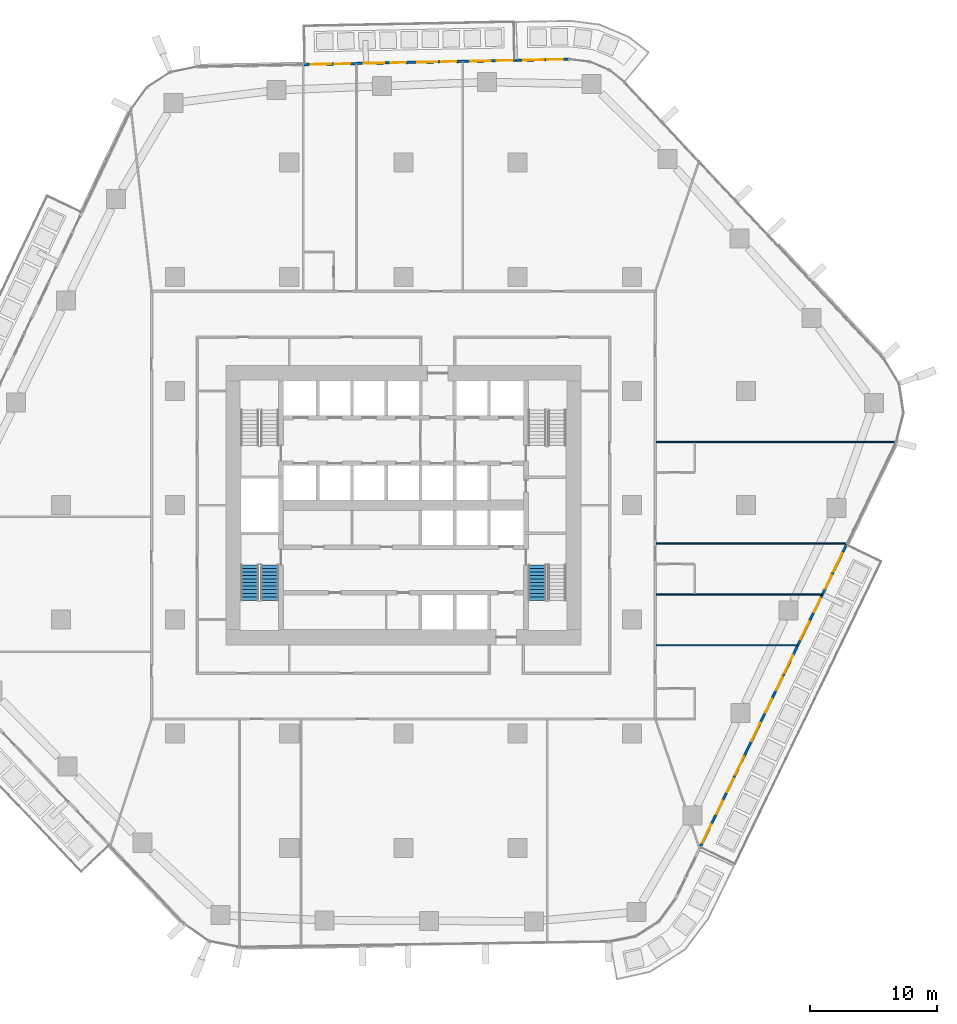
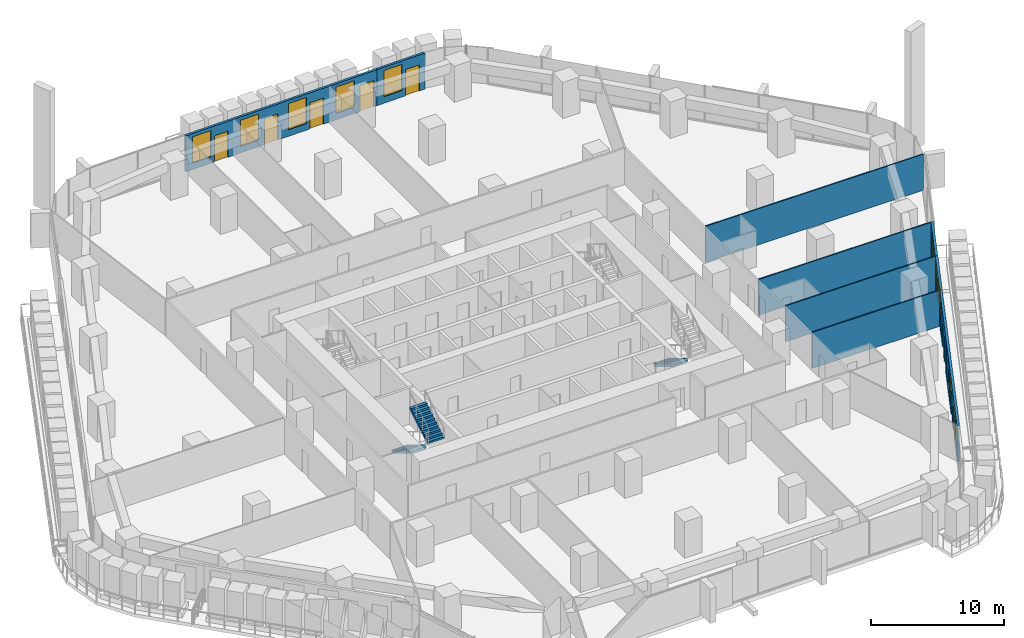
# One storey, part 16 of 24: 11 doors, 11 windows, 7 walls, 3 stair flights, 22 openings, 2 elements without a shape of their own.
"""IFC4 building model written with IfcOpenShell, lengths in metres."""

from ifc_helpers import new_model, si_unit, direction, frame, frame_2d, origin, place, context, subcontext, project, spatial, polyline, rectangle, outline, extrude, material, layer, layer_set, type_object, element, fill, aggregate, save


model = new_model("IFC4")

# Units and contexts
model_context = context("Model", 3, precision=1e-05, world=origin(), true_north=direction((0.0, 1.0)))
body_context = subcontext(model_context, "Body", "Model", "MODEL_VIEW")
ifc_project = project(units=[si_unit("LENGTHUNIT", "METRE"), si_unit("AREAUNIT", "SQUARE_METRE"), si_unit("VOLUMEUNIT", "CUBIC_METRE"), si_unit("PLANEANGLEUNIT", "RADIAN"), si_unit("MASSUNIT", "GRAM", prefix="KILO")], contexts=[model_context])

# Site, building, storey
site_placement = place(None, origin())
site = spatial("IfcSite", under=ifc_project, at=site_placement, CompositionType="ELEMENT")
building_placement = place(site_placement, origin())
building = spatial("IfcBuilding", under=site, at=building_placement, Name="Dongbaek Canopy Tower", CompositionType="ELEMENT")
storey_placement = place(building_placement, frame((0.0, 0.0, 44.0)))
storey = spatial("IfcBuildingStorey", under=building, at=storey_placement, Name="L06", CompositionType="ELEMENT", Elevation=44.0)

# Walls
ifc_material_1 = material(Name="Gypsum board partition, steel stud, 2 x 12.5 mm board", Category="steel")
ifc_layer_1 = layer(ifc_material_1, 0.10009765625)
ifc_layer_set_1 = layer_set([ifc_layer_1], Name="Partition 100 gypsum board")
wall_type_1 = type_object("IfcWallType", Name="Partition 100 gypsum board", PredefinedType="PARTITIONING", material=ifc_layer_set_1)
wall_1_placement = place(storey_placement, frame((19.925048828125, -11.031982421875, 0.0), z_axis=(0.0, 0.0, 1.0), x_axis=(1.0, 0.0, 0.0)))
element("IfcWall", 1, at=wall_1_placement, inside=storey, type_object=wall_type_1, Name="Partition", PredefinedType="PARTITIONING", context=body_context, shape_type="SweptSolid", body=[
    extrude(rectangle(XDim=11.134521484375, YDim=0.10009765625, at=frame_2d((5.5673828125, 0.0))), origin(), (0.0, 0.0, 1.0), 3.300048828125),
])
wall_2_placement = place(storey_placement, frame((19.925048828125, -7.028076171875, 0.0), z_axis=(0.0, 0.0, 1.0), x_axis=(1.0, 0.0, 0.0)))
element("IfcWall", 2, at=wall_2_placement, inside=storey, type_object=wall_type_1, Name="Partition", PredefinedType="PARTITIONING", context=body_context, shape_type="SweptSolid", body=[
    extrude(rectangle(XDim=13.070556640625, YDim=0.10009765625, at=frame_2d((6.53515625, 0.0))), origin(), (0.0, 0.0, 1.0), 3.300048828125),
])
wall_3_placement = place(storey_placement, frame((19.925048828125, -3.02294921875, 0.0), z_axis=(0.0, 0.0, 1.0), x_axis=(1.0, 0.0, 0.0)))
element("IfcWall", 3, at=wall_3_placement, inside=storey, type_object=wall_type_1, Name="Partition", PredefinedType="PARTITIONING", context=body_context, shape_type="SweptSolid", body=[
    extrude(rectangle(XDim=15.00634765625, YDim=0.10009765625, at=frame_2d((7.503173828125, 0.0))), origin(), (0.0, 0.0, 1.0), 3.300048828125),
])
wall_4_placement = place(storey_placement, frame((19.925048828125, 4.97705078125, 0.0), z_axis=(0.0, 0.0, 1.0), x_axis=(1.0, 0.0, 0.0)))
element("IfcWall", 4, at=wall_4_placement, inside=storey, type_object=wall_type_1, Name="Partition", PredefinedType="PARTITIONING", context=body_context, shape_type="SweptSolid", body=[
    extrude(rectangle(XDim=18.874267578125, YDim=0.10009765625, at=frame_2d((9.43701171875, 0.0))), origin(), (0.0, 0.0, 1.0), 3.300048828125),
])

# Wall, openings, doors, windows
ifc_material_2 = material(Name="Aluminium window wall", Category="aluminium")
ifc_layer_2 = layer(ifc_material_2, 0.199951171875)
ifc_layer_set_2 = layer_set([ifc_layer_2], Name="Window wall 200")
wall_type_2 = type_object("IfcWallType", Name="Window wall 200", PredefinedType="SOLIDWALL", material=ifc_layer_set_2)
wall_5_placement = place(storey_placement, frame((8.861572265625, 35.062744140625, 0.0), z_axis=(0.0, 0.0, 1.0), x_axis=(-0.999801543102, -0.01992170701, 0.0)))
wall_5 = element("IfcWall", 5, at=wall_5_placement, inside=storey, type_object=wall_type_2, Name="Window wall L06 1", PredefinedType="SOLIDWALL", context=body_context, shape_type="SweptSolid", body=[
    extrude(rectangle(XDim=16.752685546875, YDim=0.199951171875, at=frame_2d((8.37646484375, 0.0))), origin(), (0.0, 0.0, 1.0), 3.300048828125),
])
opening_1_placement = place(wall_5_placement, frame((2.0, 0.0, 0.60009765625)))
opening_1 = element("IfcOpeningElement", 6, at=opening_1_placement, cuts=wall_5, Name="Opening W1", PredefinedType="OPENING", context=body_context, shape_type="SweptSolid", body=[
    extrude(rectangle(XDim=1.60009765625, YDim=2.39990234375, at=frame_2d((0.800048828125, 1.199951171875))), frame((0.0, 0.10986328125, 0.0), z_axis=(0.0, -1.0, 0.0), x_axis=(1.0, 0.0, 0.0)), (0.0, 0.0, 1.0), 0.219970703125),
])
opening_2_placement = place(wall_5_placement, frame((0.300048828125, 0.0, 0.0)))
opening_2 = element("IfcOpeningElement", 7, at=opening_2_placement, cuts=wall_5, Name="Opening L06-B01", PredefinedType="OPENING", context=body_context, shape_type="SweptSolid", body=[
    extrude(rectangle(XDim=1.199951171875, YDim=2.39990234375, at=frame_2d((0.60009765625, 1.199951171875))), frame((0.0, 0.10986328125, 0.0), z_axis=(0.0, -1.0, 0.0), x_axis=(1.0, 0.0, 0.0)), (0.0, 0.0, 1.0), 0.219970703125),
])
opening_3_placement = place(wall_5_placement, frame((6.188232421875, 0.0, 0.60009765625)))
opening_3 = element("IfcOpeningElement", 8, at=opening_3_placement, cuts=wall_5, Name="Opening W1", PredefinedType="OPENING", context=body_context, shape_type="SweptSolid", body=[
    extrude(rectangle(XDim=1.60009765625, YDim=2.39990234375, at=frame_2d((0.800048828125, 1.199951171875))), frame((0.0, 0.10986328125, 0.0), z_axis=(0.0, -1.0, 0.0), x_axis=(1.0, 0.0, 0.0)), (0.0, 0.0, 1.0), 0.219970703125),
])
opening_4_placement = place(wall_5_placement, frame((4.688232421875, 0.0, 0.0)))
opening_4 = element("IfcOpeningElement", 9, at=opening_4_placement, cuts=wall_5, Name="Opening L06-B02", PredefinedType="OPENING", context=body_context, shape_type="SweptSolid", body=[
    extrude(rectangle(XDim=1.199951171875, YDim=2.39990234375, at=frame_2d((0.60009765625, 1.199951171875))), frame((0.0, 0.10986328125, 0.0), z_axis=(0.0, -1.0, 0.0), x_axis=(1.0, 0.0, 0.0)), (0.0, 0.0, 1.0), 0.219970703125),
])
opening_5_placement = place(wall_5_placement, frame((10.376220703125, 0.0, 0.60009765625)))
opening_5 = element("IfcOpeningElement", 10, at=opening_5_placement, cuts=wall_5, Name="Opening W1", PredefinedType="OPENING", context=body_context, shape_type="SweptSolid", body=[
    extrude(rectangle(XDim=1.60009765625, YDim=2.39990234375, at=frame_2d((0.800048828125, 1.199951171875))), frame((0.0, 0.10986328125, 0.0), z_axis=(0.0, -1.0, 0.0), x_axis=(1.0, 0.0, 0.0)), (0.0, 0.0, 1.0), 0.219970703125),
])
opening_6_placement = place(wall_5_placement, frame((8.67626953125, 0.0, 0.0)))
opening_6 = element("IfcOpeningElement", 11, at=opening_6_placement, cuts=wall_5, Name="Opening L06-B03", PredefinedType="OPENING", context=body_context, shape_type="SweptSolid", body=[
    extrude(rectangle(XDim=1.199951171875, YDim=2.39990234375, at=frame_2d((0.60009765625, 1.199951171875))), frame((0.0, 0.10986328125, 0.0), z_axis=(0.0, -1.0, 0.0), x_axis=(1.0, 0.0, 0.0)), (0.0, 0.0, 1.0), 0.219970703125),
])
opening_7_placement = place(wall_5_placement, frame((14.564453125, 0.0, 0.60009765625)))
opening_7 = element("IfcOpeningElement", 12, at=opening_7_placement, cuts=wall_5, Name="Opening W1", PredefinedType="OPENING", context=body_context, shape_type="SweptSolid", body=[
    extrude(rectangle(XDim=1.60009765625, YDim=2.39990234375, at=frame_2d((0.800048828125, 1.199951171875))), frame((0.0, 0.10986328125, 0.0), z_axis=(0.0, -1.0, 0.0), x_axis=(1.0, 0.0, 0.0)), (0.0, 0.0, 1.0), 0.219970703125),
])
opening_8_placement = place(wall_5_placement, frame((13.064453125, 0.0, 0.0)))
opening_8 = element("IfcOpeningElement", 13, at=opening_8_placement, cuts=wall_5, Name="Opening L06-B04", PredefinedType="OPENING", context=body_context, shape_type="SweptSolid", body=[
    extrude(rectangle(XDim=1.199951171875, YDim=2.39990234375, at=frame_2d((0.60009765625, 1.199951171875))), frame((0.0, 0.10986328125, 0.0), z_axis=(0.0, -1.0, 0.0), x_axis=(1.0, 0.0, 0.0)), (0.0, 0.0, 1.0), 0.219970703125),
])
ifc_material_3 = material(Name="Clear glazing in aluminium frame", Category="aluminium")
door_type = type_object("IfcDoorType", Name="Balcony door BD1 1200 x 2400", OperationType="SLIDING_TO_LEFT", PredefinedType="DOOR", material=ifc_material_3)
door_1_placement = place(opening_2_placement, origin())
door_1 = element("IfcDoor", 14, at=door_1_placement, inside=storey, type_object=door_type, Name="Balcony door L06-B01", OperationType="SLIDING_TO_LEFT", OverallHeight=2.39990234375, OverallWidth=1.199951171875, PredefinedType="DOOR", context=body_context, shape_type="SweptSolid", body=[
    extrude(rectangle(XDim=1.199951171875, YDim=2.39990234375, at=frame_2d((0.60009765625, 1.199951171875))), frame((0.0, 0.02490234375, 0.0), z_axis=(0.0, -1.0, 0.0), x_axis=(1.0, 0.0, 0.0)), (0.0, 0.0, 1.0), 0.050048828125),
])
fill(opening_2, door_1)
door_2_placement = place(opening_4_placement, origin())
door_2 = element("IfcDoor", 15, at=door_2_placement, inside=storey, type_object=door_type, Name="Balcony door L06-B02", OperationType="SLIDING_TO_LEFT", OverallHeight=2.39990234375, OverallWidth=1.199951171875, PredefinedType="DOOR", context=body_context, shape_type="SweptSolid", body=[
    extrude(rectangle(XDim=1.199951171875, YDim=2.39990234375, at=frame_2d((0.60009765625, 1.199951171875))), frame((0.0, 0.02490234375, 0.0), z_axis=(0.0, -1.0, 0.0), x_axis=(1.0, 0.0, 0.0)), (0.0, 0.0, 1.0), 0.050048828125),
])
fill(opening_4, door_2)
door_3_placement = place(opening_6_placement, origin())
door_3 = element("IfcDoor", 16, at=door_3_placement, inside=storey, type_object=door_type, Name="Balcony door L06-B03", OperationType="SLIDING_TO_LEFT", OverallHeight=2.39990234375, OverallWidth=1.199951171875, PredefinedType="DOOR", context=body_context, shape_type="SweptSolid", body=[
    extrude(rectangle(XDim=1.199951171875, YDim=2.39990234375, at=frame_2d((0.60009765625, 1.199951171875))), frame((0.0, 0.02490234375, 0.0), z_axis=(0.0, -1.0, 0.0), x_axis=(1.0, 0.0, 0.0)), (0.0, 0.0, 1.0), 0.050048828125),
])
fill(opening_6, door_3)
door_4_placement = place(opening_8_placement, origin())
door_4 = element("IfcDoor", 17, at=door_4_placement, inside=storey, type_object=door_type, Name="Balcony door L06-B04", OperationType="SLIDING_TO_LEFT", OverallHeight=2.39990234375, OverallWidth=1.199951171875, PredefinedType="DOOR", context=body_context, shape_type="SweptSolid", body=[
    extrude(rectangle(XDim=1.199951171875, YDim=2.39990234375, at=frame_2d((0.60009765625, 1.199951171875))), frame((0.0, 0.02490234375, 0.0), z_axis=(0.0, -1.0, 0.0), x_axis=(1.0, 0.0, 0.0)), (0.0, 0.0, 1.0), 0.050048828125),
])
fill(opening_8, door_4)
ifc_material_4 = material(Name="Clear glazing in aluminium frame", Category="aluminium")
window_type = type_object("IfcWindowType", Name="Window W1 1600 x 2400", PartitioningType="SINGLE_PANEL", PredefinedType="WINDOW", material=ifc_material_4)
window_1_placement = place(opening_1_placement, origin())
window_1 = element("IfcWindow", 18, at=window_1_placement, inside=storey, type_object=window_type, Name="Window L06 1.1", OverallHeight=2.39990234375, OverallWidth=1.60009765625, PartitioningType="SINGLE_PANEL", PredefinedType="WINDOW", context=body_context, shape_type="SweptSolid", body=[
    extrude(rectangle(XDim=1.60009765625, YDim=2.39990234375, at=frame_2d((0.800048828125, 1.199951171875))), frame((0.0, 0.030029296875, 0.0), z_axis=(0.0, -1.0, 0.0), x_axis=(1.0, 0.0, 0.0)), (0.0, 0.0, 1.0), 0.06005859375),
])
fill(opening_1, window_1)
window_2_placement = place(opening_3_placement, origin())
window_2 = element("IfcWindow", 19, at=window_2_placement, inside=storey, type_object=window_type, Name="Window L06 1.2", OverallHeight=2.39990234375, OverallWidth=1.60009765625, PartitioningType="SINGLE_PANEL", PredefinedType="WINDOW", context=body_context, shape_type="SweptSolid", body=[
    extrude(rectangle(XDim=1.60009765625, YDim=2.39990234375, at=frame_2d((0.800048828125, 1.199951171875))), frame((0.0, 0.030029296875, 0.0), z_axis=(0.0, -1.0, 0.0), x_axis=(1.0, 0.0, 0.0)), (0.0, 0.0, 1.0), 0.06005859375),
])
fill(opening_3, window_2)
window_3_placement = place(opening_5_placement, origin())
window_3 = element("IfcWindow", 20, at=window_3_placement, inside=storey, type_object=window_type, Name="Window L06 1.3", OverallHeight=2.39990234375, OverallWidth=1.60009765625, PartitioningType="SINGLE_PANEL", PredefinedType="WINDOW", context=body_context, shape_type="SweptSolid", body=[
    extrude(rectangle(XDim=1.60009765625, YDim=2.39990234375, at=frame_2d((0.800048828125, 1.199951171875))), frame((0.0, 0.030029296875, 0.0), z_axis=(0.0, -1.0, 0.0), x_axis=(1.0, 0.0, 0.0)), (0.0, 0.0, 1.0), 0.06005859375),
])
fill(opening_5, window_3)
window_4_placement = place(opening_7_placement, origin())
window_4 = element("IfcWindow", 21, at=window_4_placement, inside=storey, type_object=window_type, Name="Window L06 1.4", OverallHeight=2.39990234375, OverallWidth=1.60009765625, PartitioningType="SINGLE_PANEL", PredefinedType="WINDOW", context=body_context, shape_type="SweptSolid", body=[
    extrude(rectangle(XDim=1.60009765625, YDim=2.39990234375, at=frame_2d((0.800048828125, 1.199951171875))), frame((0.0, 0.030029296875, 0.0), z_axis=(0.0, -1.0, 0.0), x_axis=(1.0, 0.0, 0.0)), (0.0, 0.0, 1.0), 0.06005859375),
])
fill(opening_7, window_4)

# Wall, openings, door, window
wall_6_placement = place(storey_placement, frame((13.0419921875, 35.14599609375, 0.0), z_axis=(0.0, 0.0, 1.0), x_axis=(-0.999801760637, -0.019910786683, 0.0)))
wall_6 = element("IfcWall", 22, at=wall_6_placement, inside=storey, type_object=wall_type_2, Name="Window wall L06 5", PredefinedType="SOLIDWALL", context=body_context, shape_type="SweptSolid", body=[
    extrude(rectangle(XDim=4.18115234375, YDim=0.199951171875, at=frame_2d((2.090576171875, 0.0))), origin(), (0.0, 0.0, 1.0), 3.300048828125),
])
opening_9_placement = place(wall_6_placement, frame((2.0, 0.0, 0.60009765625)))
opening_9 = element("IfcOpeningElement", 23, at=opening_9_placement, cuts=wall_6, Name="Opening W1", PredefinedType="OPENING", context=body_context, shape_type="SweptSolid", body=[
    extrude(rectangle(XDim=1.60009765625, YDim=2.39990234375, at=frame_2d((0.800048828125, 1.199951171875))), frame((0.0, 0.10986328125, 0.0), z_axis=(0.0, -1.0, 0.0), x_axis=(1.0, 0.0, 0.0)), (0.0, 0.0, 1.0), 0.219970703125),
])
opening_10_placement = place(wall_6_placement, frame((0.5, 0.0, 0.0)))
opening_10 = element("IfcOpeningElement", 24, at=opening_10_placement, cuts=wall_6, Name="Opening L06-B05", PredefinedType="OPENING", context=body_context, shape_type="SweptSolid", body=[
    extrude(rectangle(XDim=1.199951171875, YDim=2.39990234375, at=frame_2d((0.60009765625, 1.199951171875))), frame((0.0, 0.10986328125, 0.0), z_axis=(0.0, -1.0, 0.0), x_axis=(1.0, 0.0, 0.0)), (0.0, 0.0, 1.0), 0.219970703125),
])
door_5_placement = place(opening_10_placement, origin())
door_5 = element("IfcDoor", 25, at=door_5_placement, inside=storey, type_object=door_type, Name="Balcony door L06-B05", OperationType="SLIDING_TO_LEFT", OverallHeight=2.39990234375, OverallWidth=1.199951171875, PredefinedType="DOOR", context=body_context, shape_type="SweptSolid", body=[
    extrude(rectangle(XDim=1.199951171875, YDim=2.39990234375, at=frame_2d((0.60009765625, 1.199951171875))), frame((0.0, 0.02490234375, 0.0), z_axis=(0.0, -1.0, 0.0), x_axis=(1.0, 0.0, 0.0)), (0.0, 0.0, 1.0), 0.050048828125),
])
fill(opening_10, door_5)
window_5_placement = place(opening_9_placement, origin())
window_5 = element("IfcWindow", 26, at=window_5_placement, inside=storey, type_object=window_type, Name="Window L06 5.1", OverallHeight=2.39990234375, OverallWidth=1.60009765625, PartitioningType="SINGLE_PANEL", PredefinedType="WINDOW", context=body_context, shape_type="SweptSolid", body=[
    extrude(rectangle(XDim=1.60009765625, YDim=2.39990234375, at=frame_2d((0.800048828125, 1.199951171875))), frame((0.0, 0.030029296875, 0.0), z_axis=(0.0, -1.0, 0.0), x_axis=(1.0, 0.0, 0.0)), (0.0, 0.0, 1.0), 0.06005859375),
])
fill(opening_9, window_5)

# Wall, openings, doors, windows
wall_7_placement = place(storey_placement, frame((23.337646484375, -27.05126953125, 0.0), z_axis=(0.0, 0.0, 1.0), x_axis=(0.43524886879, 0.900310181114, 0.0)))
wall_7 = element("IfcWall", 27, at=wall_7_placement, inside=storey, type_object=wall_type_2, Name="Window wall L06 4", PredefinedType="SOLIDWALL", context=body_context, shape_type="SweptSolid", body=[
    extrude(rectangle(XDim=26.688720703125, YDim=0.199951171875, at=frame_2d((13.34423828125, 0.0))), origin(), (0.0, 0.0, 1.0), 3.300048828125),
])
opening_11_placement = place(wall_7_placement, frame((0.5, 0.0, 0.60009765625)))
opening_11 = element("IfcOpeningElement", 28, at=opening_11_placement, cuts=wall_7, Name="Opening W1", PredefinedType="OPENING", context=body_context, shape_type="SweptSolid", body=[
    extrude(rectangle(XDim=1.60009765625, YDim=2.39990234375, at=frame_2d((0.800048828125, 1.199951171875))), frame((0.0, 0.10986328125, 0.0), z_axis=(0.0, -1.0, 0.0), x_axis=(1.0, 0.0, 0.0)), (0.0, 0.0, 1.0), 0.219970703125),
])
opening_12_placement = place(wall_7_placement, frame((3.0, 0.0, 0.0)))
opening_12 = element("IfcOpeningElement", 29, at=opening_12_placement, cuts=wall_7, Name="Opening L06-B18", PredefinedType="OPENING", context=body_context, shape_type="SweptSolid", body=[
    extrude(rectangle(XDim=1.199951171875, YDim=2.39990234375, at=frame_2d((0.60009765625, 1.199951171875))), frame((0.0, 0.10986328125, 0.0), z_axis=(0.0, -1.0, 0.0), x_axis=(1.0, 0.0, 0.0)), (0.0, 0.0, 1.0), 0.219970703125),
])
opening_13_placement = place(wall_7_placement, frame((6.447998046875, 0.0, 0.60009765625)))
opening_13 = element("IfcOpeningElement", 30, at=opening_13_placement, cuts=wall_7, Name="Opening W1", PredefinedType="OPENING", context=body_context, shape_type="SweptSolid", body=[
    extrude(rectangle(XDim=1.60009765625, YDim=2.39990234375, at=frame_2d((0.800048828125, 1.199951171875))), frame((0.0, 0.10986328125, 0.0), z_axis=(0.0, -1.0, 0.0), x_axis=(1.0, 0.0, 0.0)), (0.0, 0.0, 1.0), 0.219970703125),
])
opening_14_placement = place(wall_7_placement, frame((4.947998046875, 0.0, 0.0)))
opening_14 = element("IfcOpeningElement", 31, at=opening_14_placement, cuts=wall_7, Name="Opening L06-B19", PredefinedType="OPENING", context=body_context, shape_type="SweptSolid", body=[
    extrude(rectangle(XDim=1.199951171875, YDim=2.39990234375, at=frame_2d((0.60009765625, 1.199951171875))), frame((0.0, 0.10986328125, 0.0), z_axis=(0.0, -1.0, 0.0), x_axis=(1.0, 0.0, 0.0)), (0.0, 0.0, 1.0), 0.219970703125),
])
opening_15_placement = place(wall_7_placement, frame((9.396240234375, 0.0, 0.60009765625)))
opening_15 = element("IfcOpeningElement", 32, at=opening_15_placement, cuts=wall_7, Name="Opening W1", PredefinedType="OPENING", context=body_context, shape_type="SweptSolid", body=[
    extrude(rectangle(XDim=1.60009765625, YDim=2.39990234375, at=frame_2d((0.800048828125, 1.199951171875))), frame((0.0, 0.10986328125, 0.0), z_axis=(0.0, -1.0, 0.0), x_axis=(1.0, 0.0, 0.0)), (0.0, 0.0, 1.0), 0.219970703125),
])
opening_16_placement = place(wall_7_placement, frame((11.896240234375, 0.0, 0.0)))
opening_16 = element("IfcOpeningElement", 33, at=opening_16_placement, cuts=wall_7, Name="Opening L06-B20", PredefinedType="OPENING", context=body_context, shape_type="SweptSolid", body=[
    extrude(rectangle(XDim=1.199951171875, YDim=2.39990234375, at=frame_2d((0.60009765625, 1.199951171875))), frame((0.0, 0.10986328125, 0.0), z_axis=(0.0, -1.0, 0.0), x_axis=(1.0, 0.0, 0.0)), (0.0, 0.0, 1.0), 0.219970703125),
])
opening_17_placement = place(wall_7_placement, frame((15.34423828125, 0.0, 0.60009765625)))
opening_17 = element("IfcOpeningElement", 34, at=opening_17_placement, cuts=wall_7, Name="Opening W1", PredefinedType="OPENING", context=body_context, shape_type="SweptSolid", body=[
    extrude(rectangle(XDim=1.60009765625, YDim=2.39990234375, at=frame_2d((0.800048828125, 1.199951171875))), frame((0.0, 0.10986328125, 0.0), z_axis=(0.0, -1.0, 0.0), x_axis=(1.0, 0.0, 0.0)), (0.0, 0.0, 1.0), 0.219970703125),
])
opening_18_placement = place(wall_7_placement, frame((13.84423828125, 0.0, 0.0)))
opening_18 = element("IfcOpeningElement", 35, at=opening_18_placement, cuts=wall_7, Name="Opening L06-B21", PredefinedType="OPENING", context=body_context, shape_type="SweptSolid", body=[
    extrude(rectangle(XDim=1.199951171875, YDim=2.39990234375, at=frame_2d((0.60009765625, 1.199951171875))), frame((0.0, 0.10986328125, 0.0), z_axis=(0.0, -1.0, 0.0), x_axis=(1.0, 0.0, 0.0)), (0.0, 0.0, 1.0), 0.219970703125),
])
opening_19_placement = place(wall_7_placement, frame((18.29248046875, 0.0, 0.60009765625)))
opening_19 = element("IfcOpeningElement", 36, at=opening_19_placement, cuts=wall_7, Name="Opening W1", PredefinedType="OPENING", context=body_context, shape_type="SweptSolid", body=[
    extrude(rectangle(XDim=1.60009765625, YDim=2.39990234375, at=frame_2d((0.800048828125, 1.199951171875))), frame((0.0, 0.10986328125, 0.0), z_axis=(0.0, -1.0, 0.0), x_axis=(1.0, 0.0, 0.0)), (0.0, 0.0, 1.0), 0.219970703125),
])
opening_20_placement = place(wall_7_placement, frame((20.6923828125, 0.0, 0.0)))
opening_20 = element("IfcOpeningElement", 37, at=opening_20_placement, cuts=wall_7, Name="Opening L06-B22", PredefinedType="OPENING", context=body_context, shape_type="SweptSolid", body=[
    extrude(rectangle(XDim=1.199951171875, YDim=2.39990234375, at=frame_2d((0.60009765625, 1.199951171875))), frame((0.0, 0.10986328125, 0.0), z_axis=(0.0, -1.0, 0.0), x_axis=(1.0, 0.0, 0.0)), (0.0, 0.0, 1.0), 0.219970703125),
])
opening_21_placement = place(wall_7_placement, frame((24.240478515625, 0.0, 0.60009765625)))
opening_21 = element("IfcOpeningElement", 38, at=opening_21_placement, cuts=wall_7, Name="Opening W1", PredefinedType="OPENING", context=body_context, shape_type="SweptSolid", body=[
    extrude(rectangle(XDim=1.60009765625, YDim=2.39990234375, at=frame_2d((0.800048828125, 1.199951171875))), frame((0.0, 0.10986328125, 0.0), z_axis=(0.0, -1.0, 0.0), x_axis=(1.0, 0.0, 0.0)), (0.0, 0.0, 1.0), 0.219970703125),
])
opening_22_placement = place(wall_7_placement, frame((22.740478515625, 0.0, 0.0)))
opening_22 = element("IfcOpeningElement", 39, at=opening_22_placement, cuts=wall_7, Name="Opening L06-B23", PredefinedType="OPENING", context=body_context, shape_type="SweptSolid", body=[
    extrude(rectangle(XDim=1.199951171875, YDim=2.39990234375, at=frame_2d((0.60009765625, 1.199951171875))), frame((0.0, 0.10986328125, 0.0), z_axis=(0.0, -1.0, 0.0), x_axis=(1.0, 0.0, 0.0)), (0.0, 0.0, 1.0), 0.219970703125),
])
door_6_placement = place(opening_12_placement, origin())
door_6 = element("IfcDoor", 40, at=door_6_placement, inside=storey, type_object=door_type, Name="Balcony door L06-B18", OperationType="SLIDING_TO_LEFT", OverallHeight=2.39990234375, OverallWidth=1.199951171875, PredefinedType="DOOR", context=body_context, shape_type="SweptSolid", body=[
    extrude(rectangle(XDim=1.199951171875, YDim=2.39990234375, at=frame_2d((0.60009765625, 1.199951171875))), frame((0.0, 0.02490234375, 0.0), z_axis=(0.0, -1.0, 0.0), x_axis=(1.0, 0.0, 0.0)), (0.0, 0.0, 1.0), 0.050048828125),
])
fill(opening_12, door_6)
door_7_placement = place(opening_14_placement, origin())
door_7 = element("IfcDoor", 41, at=door_7_placement, inside=storey, type_object=door_type, Name="Balcony door L06-B19", OperationType="SLIDING_TO_LEFT", OverallHeight=2.39990234375, OverallWidth=1.199951171875, PredefinedType="DOOR", context=body_context, shape_type="SweptSolid", body=[
    extrude(rectangle(XDim=1.199951171875, YDim=2.39990234375, at=frame_2d((0.60009765625, 1.199951171875))), frame((0.0, 0.02490234375, 0.0), z_axis=(0.0, -1.0, 0.0), x_axis=(1.0, 0.0, 0.0)), (0.0, 0.0, 1.0), 0.050048828125),
])
fill(opening_14, door_7)
door_8_placement = place(opening_16_placement, origin())
door_8 = element("IfcDoor", 42, at=door_8_placement, inside=storey, type_object=door_type, Name="Balcony door L06-B20", OperationType="SLIDING_TO_LEFT", OverallHeight=2.39990234375, OverallWidth=1.199951171875, PredefinedType="DOOR", context=body_context, shape_type="SweptSolid", body=[
    extrude(rectangle(XDim=1.199951171875, YDim=2.39990234375, at=frame_2d((0.60009765625, 1.199951171875))), frame((0.0, 0.02490234375, 0.0), z_axis=(0.0, -1.0, 0.0), x_axis=(1.0, 0.0, 0.0)), (0.0, 0.0, 1.0), 0.050048828125),
])
fill(opening_16, door_8)
door_9_placement = place(opening_18_placement, origin())
door_9 = element("IfcDoor", 43, at=door_9_placement, inside=storey, type_object=door_type, Name="Balcony door L06-B21", OperationType="SLIDING_TO_LEFT", OverallHeight=2.39990234375, OverallWidth=1.199951171875, PredefinedType="DOOR", context=body_context, shape_type="SweptSolid", body=[
    extrude(rectangle(XDim=1.199951171875, YDim=2.39990234375, at=frame_2d((0.60009765625, 1.199951171875))), frame((0.0, 0.02490234375, 0.0), z_axis=(0.0, -1.0, 0.0), x_axis=(1.0, 0.0, 0.0)), (0.0, 0.0, 1.0), 0.050048828125),
])
fill(opening_18, door_9)
door_10_placement = place(opening_20_placement, origin())
door_10 = element("IfcDoor", 44, at=door_10_placement, inside=storey, type_object=door_type, Name="Balcony door L06-B22", OperationType="SLIDING_TO_LEFT", OverallHeight=2.39990234375, OverallWidth=1.199951171875, PredefinedType="DOOR", context=body_context, shape_type="SweptSolid", body=[
    extrude(rectangle(XDim=1.199951171875, YDim=2.39990234375, at=frame_2d((0.60009765625, 1.199951171875))), frame((0.0, 0.02490234375, 0.0), z_axis=(0.0, -1.0, 0.0), x_axis=(1.0, 0.0, 0.0)), (0.0, 0.0, 1.0), 0.050048828125),
])
fill(opening_20, door_10)
door_11_placement = place(opening_22_placement, origin())
door_11 = element("IfcDoor", 45, at=door_11_placement, inside=storey, type_object=door_type, Name="Balcony door L06-B23", OperationType="SLIDING_TO_LEFT", OverallHeight=2.39990234375, OverallWidth=1.199951171875, PredefinedType="DOOR", context=body_context, shape_type="SweptSolid", body=[
    extrude(rectangle(XDim=1.199951171875, YDim=2.39990234375, at=frame_2d((0.60009765625, 1.199951171875))), frame((0.0, 0.02490234375, 0.0), z_axis=(0.0, -1.0, 0.0), x_axis=(1.0, 0.0, 0.0)), (0.0, 0.0, 1.0), 0.050048828125),
])
fill(opening_22, door_11)
window_6_placement = place(opening_11_placement, origin())
window_6 = element("IfcWindow", 46, at=window_6_placement, inside=storey, type_object=window_type, Name="Window L06 4.1", OverallHeight=2.39990234375, OverallWidth=1.60009765625, PartitioningType="SINGLE_PANEL", PredefinedType="WINDOW", context=body_context, shape_type="SweptSolid", body=[
    extrude(rectangle(XDim=1.60009765625, YDim=2.39990234375, at=frame_2d((0.800048828125, 1.199951171875))), frame((0.0, 0.030029296875, 0.0), z_axis=(0.0, -1.0, 0.0), x_axis=(1.0, 0.0, 0.0)), (0.0, 0.0, 1.0), 0.06005859375),
])
fill(opening_11, window_6)
window_7_placement = place(opening_13_placement, origin())
window_7 = element("IfcWindow", 47, at=window_7_placement, inside=storey, type_object=window_type, Name="Window L06 4.2", OverallHeight=2.39990234375, OverallWidth=1.60009765625, PartitioningType="SINGLE_PANEL", PredefinedType="WINDOW", context=body_context, shape_type="SweptSolid", body=[
    extrude(rectangle(XDim=1.60009765625, YDim=2.39990234375, at=frame_2d((0.800048828125, 1.199951171875))), frame((0.0, 0.030029296875, 0.0), z_axis=(0.0, -1.0, 0.0), x_axis=(1.0, 0.0, 0.0)), (0.0, 0.0, 1.0), 0.06005859375),
])
fill(opening_13, window_7)
window_8_placement = place(opening_15_placement, origin())
window_8 = element("IfcWindow", 48, at=window_8_placement, inside=storey, type_object=window_type, Name="Window L06 4.3", OverallHeight=2.39990234375, OverallWidth=1.60009765625, PartitioningType="SINGLE_PANEL", PredefinedType="WINDOW", context=body_context, shape_type="SweptSolid", body=[
    extrude(rectangle(XDim=1.60009765625, YDim=2.39990234375, at=frame_2d((0.800048828125, 1.199951171875))), frame((0.0, 0.030029296875, 0.0), z_axis=(0.0, -1.0, 0.0), x_axis=(1.0, 0.0, 0.0)), (0.0, 0.0, 1.0), 0.06005859375),
])
fill(opening_15, window_8)
window_9_placement = place(opening_17_placement, origin())
window_9 = element("IfcWindow", 49, at=window_9_placement, inside=storey, type_object=window_type, Name="Window L06 4.4", OverallHeight=2.39990234375, OverallWidth=1.60009765625, PartitioningType="SINGLE_PANEL", PredefinedType="WINDOW", context=body_context, shape_type="SweptSolid", body=[
    extrude(rectangle(XDim=1.60009765625, YDim=2.39990234375, at=frame_2d((0.800048828125, 1.199951171875))), frame((0.0, 0.030029296875, 0.0), z_axis=(0.0, -1.0, 0.0), x_axis=(1.0, 0.0, 0.0)), (0.0, 0.0, 1.0), 0.06005859375),
])
fill(opening_17, window_9)
window_10_placement = place(opening_19_placement, origin())
window_10 = element("IfcWindow", 50, at=window_10_placement, inside=storey, type_object=window_type, Name="Window L06 4.5", OverallHeight=2.39990234375, OverallWidth=1.60009765625, PartitioningType="SINGLE_PANEL", PredefinedType="WINDOW", context=body_context, shape_type="SweptSolid", body=[
    extrude(rectangle(XDim=1.60009765625, YDim=2.39990234375, at=frame_2d((0.800048828125, 1.199951171875))), frame((0.0, 0.030029296875, 0.0), z_axis=(0.0, -1.0, 0.0), x_axis=(1.0, 0.0, 0.0)), (0.0, 0.0, 1.0), 0.06005859375),
])
fill(opening_19, window_10)
window_11_placement = place(opening_21_placement, origin())
window_11 = element("IfcWindow", 51, at=window_11_placement, inside=storey, type_object=window_type, Name="Window L06 4.6", OverallHeight=2.39990234375, OverallWidth=1.60009765625, PartitioningType="SINGLE_PANEL", PredefinedType="WINDOW", context=body_context, shape_type="SweptSolid", body=[
    extrude(rectangle(XDim=1.60009765625, YDim=2.39990234375, at=frame_2d((0.800048828125, 1.199951171875))), frame((0.0, 0.030029296875, 0.0), z_axis=(0.0, -1.0, 0.0), x_axis=(1.0, 0.0, 0.0)), (0.0, 0.0, 1.0), 0.06005859375),
])
fill(opening_21, window_11)

# Stair, stair flight
ifc_material_5 = material(Name="Concrete C40/50", Category="concrete")
stair_type = type_object("IfcStairType", Name="Core exit stair", PredefinedType="HALF_TURN_STAIR", material=ifc_material_5)
stair_1_placement = place(storey_placement, origin())
stair_1 = element("IfcStair", 52, at=stair_1_placement, inside=storey, type_object=stair_type, Name="L06 exit stair B", PredefinedType="HALF_TURN_STAIR")
ifc_material_6 = material(Name="Concrete C40/50", Category="concrete")
ifc_layer_3 = layer(ifc_material_6, 0.14990234375)
ifc_layer_set_3 = layer_set([ifc_layer_3], Name="Core stair flight 150 waist")
stair_flight_type = type_object("IfcStairFlightType", Name="Core stair flight 150 waist", PredefinedType="STRAIGHT", material=ifc_layer_set_3)
stair_flight_1_placement = place(storey_placement, frame((10.550048828125, -4.699951171875, 0.0), z_axis=(0.0, 0.0, 1.0), x_axis=(0.0, -1.0, 0.0)))
stair_flight_1 = element("IfcStairFlight", 53, at=stair_flight_1_placement, type_object=stair_flight_type, Name="ST-B flight 1", NumberOfRisers=11, NumberOfTreads=10, PredefinedType="STRAIGHT", RiserHeight=0.168181818, TreadLength=0.28, context=body_context, shape_type="SweptSolid", body=[
    extrude(outline(polyline([(0.0, 0.0), (0.0, 0.168212890625), (0.280029296875, 0.168212890625), (0.280029296875, 0.33642578125), (0.56005859375, 0.33642578125), (0.56005859375, 0.504638671875), (0.840087890625, 0.504638671875), (0.840087890625, 0.672607421875), (1.1201171875, 0.672607421875), (1.1201171875, 0.8408203125), (1.39990234375, 0.8408203125), (1.39990234375, 1.009033203125), (1.679931640625, 1.009033203125), (1.679931640625, 1.17724609375), (1.9599609375, 1.17724609375), (1.9599609375, 1.345458984375), (2.239990234375, 1.345458984375), (2.239990234375, 1.513671875), (2.52001953125, 1.513671875), (2.52001953125, 1.681884765625), (2.800048828125, 1.681884765625), (2.800048828125, 1.85009765625), (2.800048828125, 1.5068359375), (0.291015625, 0.0), (0.0, 0.0)])), frame((0.0, 0.699951171875, 0.0), z_axis=(0.0, -1.0, 0.0), x_axis=(1.0, 0.0, 0.0)), (0.0, 0.0, 1.0), 1.39990234375),
])
aggregate(stair_1, [stair_flight_1])

# Stair, stair flights
stair_2_placement = place(storey_placement, origin())
stair_2 = element("IfcStair", 54, at=stair_2_placement, inside=storey, type_object=stair_type, Name="L06 exit stair D", PredefinedType="HALF_TURN_STAIR")
stair_flight_2_placement = place(storey_placement, frame((-12.10009765625, -4.699951171875, 0.0), z_axis=(0.0, 0.0, 1.0), x_axis=(0.0, -1.0, 0.0)))
stair_flight_2 = element("IfcStairFlight", 55, at=stair_flight_2_placement, type_object=stair_flight_type, Name="ST-D flight 1", NumberOfRisers=11, NumberOfTreads=10, PredefinedType="STRAIGHT", RiserHeight=0.168181818, TreadLength=0.28, context=body_context, shape_type="SweptSolid", body=[
    extrude(outline(polyline([(0.0, 0.0), (0.0, 0.168212890625), (0.280029296875, 0.168212890625), (0.280029296875, 0.33642578125), (0.56005859375, 0.33642578125), (0.56005859375, 0.504638671875), (0.840087890625, 0.504638671875), (0.840087890625, 0.672607421875), (1.1201171875, 0.672607421875), (1.1201171875, 0.8408203125), (1.39990234375, 0.8408203125), (1.39990234375, 1.009033203125), (1.679931640625, 1.009033203125), (1.679931640625, 1.17724609375), (1.9599609375, 1.17724609375), (1.9599609375, 1.345458984375), (2.239990234375, 1.345458984375), (2.239990234375, 1.513671875), (2.52001953125, 1.513671875), (2.52001953125, 1.681884765625), (2.800048828125, 1.681884765625), (2.800048828125, 1.85009765625), (2.800048828125, 1.5068359375), (0.291015625, 0.0), (0.0, 0.0)])), frame((0.0, 0.699951171875, 0.0), z_axis=(0.0, -1.0, 0.0), x_axis=(1.0, 0.0, 0.0)), (0.0, 0.0, 1.0), 1.39990234375),
])
stair_flight_3_placement = place(storey_placement, frame((-10.550048828125, -7.5, 1.85009765625), z_axis=(0.0, 0.0, 1.0), x_axis=(0.0, 1.0, 0.0)))
stair_flight_3 = element("IfcStairFlight", 56, at=stair_flight_3_placement, type_object=stair_flight_type, Name="ST-D flight 2", NumberOfRisers=11, NumberOfTreads=10, PredefinedType="STRAIGHT", RiserHeight=0.168181818, TreadLength=0.28, context=body_context, shape_type="SweptSolid", body=[
    extrude(outline(polyline([(0.0, 0.0), (0.0, 0.168212890625), (0.280029296875, 0.168212890625), (0.280029296875, 0.33642578125), (0.56005859375, 0.33642578125), (0.56005859375, 0.504638671875), (0.840087890625, 0.504638671875), (0.840087890625, 0.672607421875), (1.1201171875, 0.672607421875), (1.1201171875, 0.8408203125), (1.39990234375, 0.8408203125), (1.39990234375, 1.009033203125), (1.679931640625, 1.009033203125), (1.679931640625, 1.17724609375), (1.9599609375, 1.17724609375), (1.9599609375, 1.345458984375), (2.239990234375, 1.345458984375), (2.239990234375, 1.513671875), (2.52001953125, 1.513671875), (2.52001953125, 1.681884765625), (2.800048828125, 1.681884765625), (2.800048828125, 1.85009765625), (2.800048828125, 1.5068359375), (0.291015625, 0.0), (0.0, 0.0)])), frame((0.0, 0.699951171875, 0.0), z_axis=(0.0, -1.0, 0.0), x_axis=(1.0, 0.0, 0.0)), (0.0, 0.0, 1.0), 1.39990234375),
])
aggregate(stair_2, [stair_flight_2, stair_flight_3])

save(model, "model.ifc")
